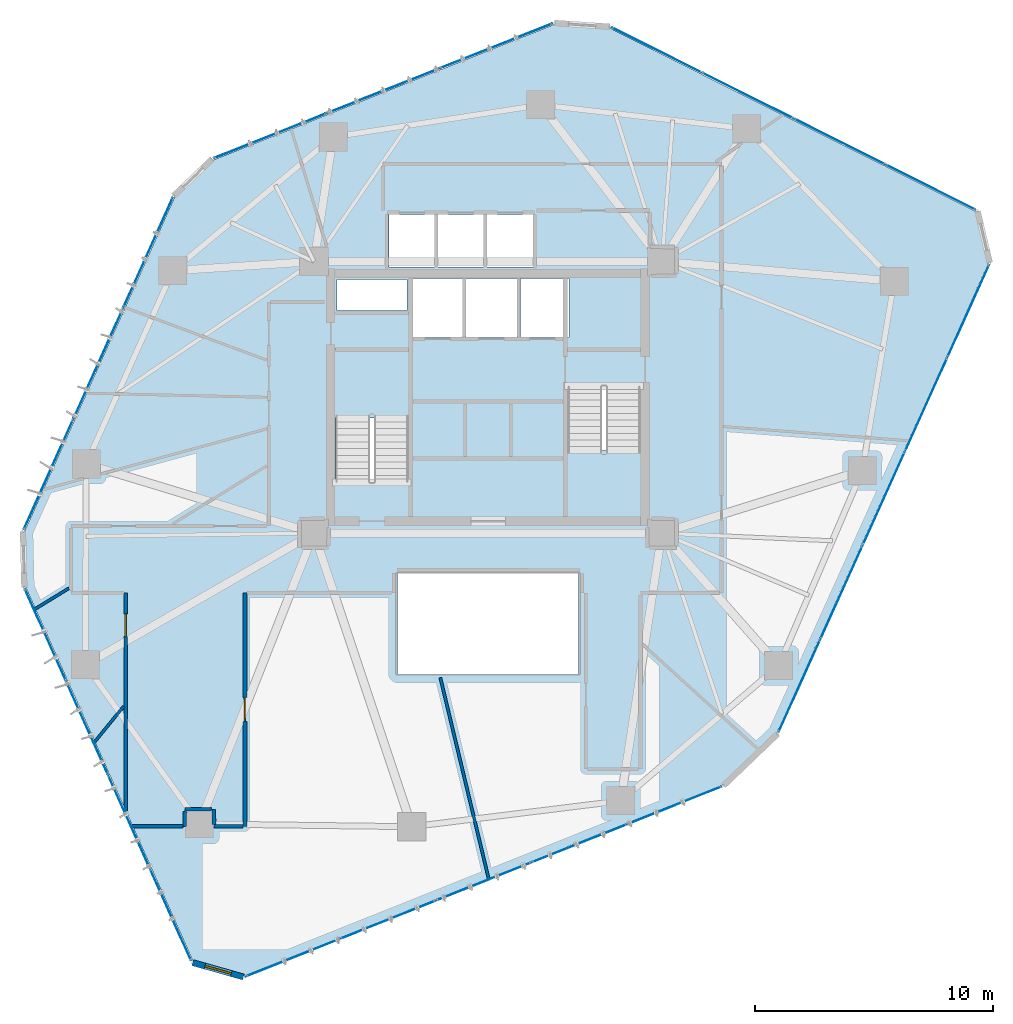
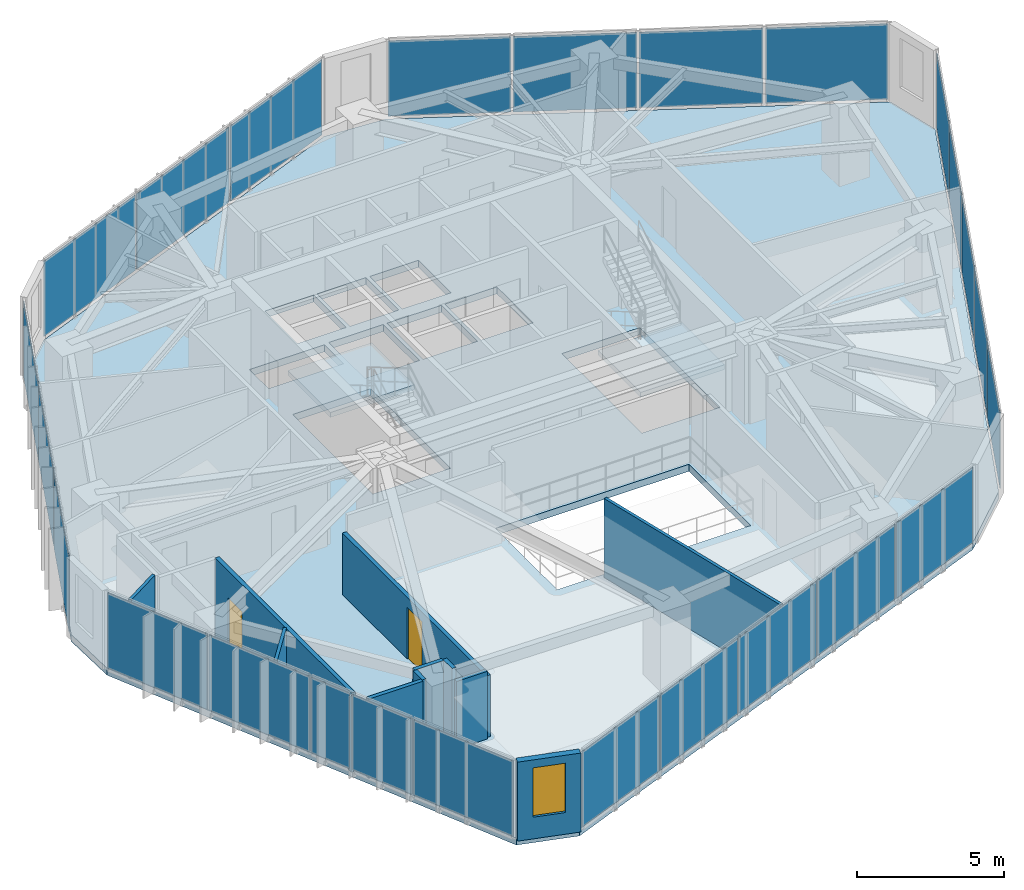
# One storey, part 16 of 22: 24 plates, 11 walls, 3 slabs, 2 doors, 1 window, 3 openings, 8 elements without a shape of their own.
"""IFC4 building model written with IfcOpenShell, lengths in metres."""

from ifc_helpers import new_model, si_unit, direction, frame, frame_2d, origin, origin_2d, place, context, subcontext, project, spatial, polyline, rectangle, outline, extrude, source, transform, mapped, material, layer, layer_set, type_object, type_shapes, element, fill, aggregate, save


model = new_model("IFC4")

# Units and contexts
model_context = context("Model", 3, precision=1e-05, world=origin(), true_north=direction((0.0, 1.0)))
body_context = subcontext(model_context, "Body", "Model", "MODEL_VIEW")
ifc_project = project(units=[si_unit("LENGTHUNIT", "METRE"), si_unit("AREAUNIT", "SQUARE_METRE"), si_unit("VOLUMEUNIT", "CUBIC_METRE"), si_unit("PLANEANGLEUNIT", "RADIAN"), si_unit("MASSUNIT", "GRAM", prefix="KILO")], contexts=[model_context])

# Site, building, storey
site_placement = place(None, origin())
site = spatial("IfcSite", under=ifc_project, at=site_placement, CompositionType="ELEMENT")
building_placement = place(site_placement, origin())
building = spatial("IfcBuilding", under=site, at=building_placement, Name="Talar Marvaseh", CompositionType="ELEMENT")
storey_placement = place(building_placement, frame((0.0, 0.0, 154.199951171875)))
storey = spatial("IfcBuildingStorey", under=building, at=storey_placement, Name="L40", CompositionType="ELEMENT", Elevation=154.199951171875)

# Stair, slab
ifc_material_1 = material(Name="Concrete C40/50", Category="concrete")
stair_type = type_object("IfcStairType", Name="Reinforced Concrete Half-Turn Exit Stair Type B", PredefinedType="HALF_TURN_STAIR", material=ifc_material_1)
stair_1_placement = place(storey_placement, origin())
stair_1 = element("IfcStair", 1, at=stair_1_placement, inside=storey, type_object=stair_type, Name="L40 Tower West Core Exit Stair", PredefinedType="HALF_TURN_STAIR")
ifc_layer_1 = layer(ifc_material_1, 0.199951171875)
ifc_layer_set_1 = layer_set([ifc_layer_1], Name="Concrete C40/50")
slab_type_1 = type_object("IfcSlabType", Name="Reinforced Concrete Stair Half-Landing Slab 200", PredefinedType="LANDING", material=ifc_layer_set_1)
slab_1_placement = place(storey_placement, frame((0.0, 0.0, 1.60009765625)))
slab_1 = element("IfcSlab", 2, at=slab_1_placement, type_object=slab_type_1, Name="ST-1 landing 1", PredefinedType="LANDING", context=body_context, shape_type="SweptSolid", body=[
    extrude(outline(polyline([(22.780029296875, 30.330078125), (22.780029296875, 33.219970703125), (19.47998046875, 33.219970703125), (19.47998046875, 30.330078125), (22.780029296875, 30.330078125)])), origin(), (0.0, 0.0, 1.0), 0.199951171875),
])
aggregate(stair_1, [slab_1])

stair_2_placement = place(storey_placement, origin())
stair_2 = element("IfcStair", 3, at=stair_2_placement, inside=storey, type_object=stair_type, Name="L40 Tower East Core Exit Stair", PredefinedType="HALF_TURN_STAIR")
slab_2_placement = place(storey_placement, frame((0.0, 0.0, 1.60009765625)))
slab_2 = element("IfcSlab", 4, at=slab_2_placement, type_object=slab_type_1, Name="ST-2 landing 1", PredefinedType="LANDING", context=body_context, shape_type="SweptSolid", body=[
    extrude(outline(polyline([(29.219970703125, 28.969970703125), (29.219970703125, 26.080078125), (32.52001953125, 26.080078125), (32.52001953125, 28.969970703125), (29.219970703125, 28.969970703125)])), origin(), (0.0, 0.0, 1.0), 0.199951171875),
])
aggregate(stair_2, [slab_2])

# Slab
ifc_layer_2 = layer(ifc_material_1, 0.2900390625)
ifc_layer_set_2 = layer_set([ifc_layer_2], Name="Concrete C40/50")
slab_type_2 = type_object("IfcSlabType", Name="Structural Suspended Floor Slab 290", PredefinedType="FLOOR", material=ifc_layer_set_2)
slab_3_placement = place(storey_placement, frame((0.0, 0.0, -0.2900390625)))
element("IfcSlab", 5, at=slab_3_placement, inside=storey, type_object=slab_type_2, Name="L40 Tower Floor Slab", PredefinedType="FLOOR", context=body_context, shape_type="SweptSolid", body=[
    extrude(outline(polyline([(15.7578125, 6.930908203125), (13.625, 7.535400390625), (6.606201171875, 23.22900390625), (6.550048828125, 25.569091796875), (12.8544921875, 39.608642578125), (14.476318359375, 41.1611328125), (28.77734375, 46.84716796875), (31.11279296875, 46.68896484375), (46.4853515625, 38.9921875), (46.99609375, 36.83544921875), (38.1142578125, 17.126708984375), (35.835205078125, 14.944580078125), (15.7578125, 6.930908203125)]), holes=[polyline([(22.659912109375, 27.64990234375), (22.659912109375, 33.10009765625), (19.60009765625, 33.10009765625), (19.60009765625, 27.64990234375), (22.659912109375, 27.64990234375)]), polyline([(29.340087890625, 31.64990234375), (29.340087890625, 26.199951171875), (32.39990234375, 26.199951171875), (32.39990234375, 31.64990234375), (29.340087890625, 31.64990234375)]), polyline([(22.800048828125, 33.719970703125), (24.93994140625, 33.719970703125), (24.93994140625, 36.179931640625), (22.800048828125, 36.179931640625), (22.800048828125, 33.719970703125)]), polyline([(25.080078125, 33.719970703125), (27.219970703125, 33.719970703125), (27.219970703125, 36.179931640625), (25.080078125, 36.179931640625), (25.080078125, 33.719970703125)]), polyline([(27.360107421875, 33.719970703125), (29.39990234375, 33.719970703125), (29.39990234375, 36.179931640625), (27.360107421875, 36.179931640625), (27.360107421875, 33.719970703125)]), polyline([(21.840087890625, 36.659912109375), (23.760009765625, 36.659912109375), (23.760009765625, 38.8798828125), (21.840087890625, 38.8798828125), (21.840087890625, 36.659912109375)]), polyline([(23.89990234375, 36.659912109375), (25.820068359375, 36.659912109375), (25.820068359375, 38.8798828125), (23.89990234375, 38.8798828125), (23.89990234375, 36.659912109375)]), polyline([(25.9599609375, 36.659912109375), (27.8798828125, 36.659912109375), (27.8798828125, 38.8798828125), (25.9599609375, 38.8798828125), (25.9599609375, 36.659912109375)]), polyline([(19.659912109375, 34.840087890625), (22.60009765625, 34.840087890625), (22.60009765625, 36.139892578125), (19.659912109375, 36.139892578125), (19.659912109375, 34.840087890625)]), polyline([(22.199951171875, 19.60009765625), (29.800048828125, 19.60009765625), (29.800048828125, 23.800048828125), (22.199951171875, 23.800048828125), (22.199951171875, 19.60009765625)])]), origin(), (0.0, 0.0, 1.0), 0.2900390625),
])

# Curtain wall, plates
ifc_material_2 = material(Name="Architectural Aluminium", Category="aluminium")
ifc_layer_3 = layer(ifc_material_2, 0.199951171875)
ifc_layer_set_3 = layer_set([ifc_layer_3], Name="Architectural Aluminium")
curtain_wall_type = type_object("IfcCurtainWallType", Name="Unitised Acoustic Library Curtain Wall Z2", PredefinedType="NOTDEFINED", material=ifc_layer_set_3)
curtain_wall_1_placement = place(storey_placement, origin())
curtain_wall_1 = element("IfcCurtainWall", 6, at=curtain_wall_1_placement, inside=storey, type_object=curtain_wall_type, Name="L40 Unitised Acoustic Library Curtain Wall Z2", PredefinedType="NOTDEFINED")
ifc_material_3 = material(Name="Laminated Low-E Solar Glass", Category="glass")
ifc_layer_4 = layer(ifc_material_3, 0.028076171875)
ifc_layer_set_4 = layer_set([ifc_layer_4], Name="Laminated Low-E Solar Glass")
plate_type = type_object("IfcPlateType", Name="Double-Glazed Low-E Vision Curtain Panel 28", PredefinedType="CURTAIN_PANEL", material=ifc_layer_set_4)
shared_shape_1 = source(origin(), body_context, "Body", "SweptSolid", [
    extrude(rectangle(XDim=4.185302734375, YDim=0.028076171875, at=origin_2d()), origin(), (0.0, 0.0, 1.0), 3.1298828125),
])
plate_1_placement = place(storey_placement, frame((12.685302734375, 9.48974609375, 0.0751953125), z_axis=(0.0, 0.0, 1.0), x_axis=(-0.408270270087, 0.912861099271, 0.0)))
plate_1 = element("IfcPlate", 7, at=plate_1_placement, type_object=plate_type, Name="CW-Z2 panel 1.1", PredefinedType="CURTAIN_PANEL", context=body_context, shape_type="MappedRepresentation", body=[
    mapped(shared_shape_1, transform((0.0, 0.0, 0.0), x_axis=(1.0, 0.0, 0.0), y_axis=(0.0, 1.0, 0.0), z_axis=(0.0, 0.0, 1.0), scale=1.0)),
])
plate_2_placement = place(storey_placement, frame((7.4365234375, 21.2255859375, 0.0751953125), z_axis=(0.0, 0.0, 1.0), x_axis=(-0.408270270087, 0.912861099271, 0.0)))
plate_2 = element("IfcPlate", 8, at=plate_2_placement, type_object=plate_type, Name="CW-Z2 panel 4.1", PredefinedType="CURTAIN_PANEL", context=body_context, shape_type="MappedRepresentation", body=[
    mapped(shared_shape_1, transform((0.0, 0.0, 0.0), x_axis=(1.0, 0.0, 0.0), y_axis=(0.0, 1.0, 0.0), z_axis=(0.0, 0.0, 1.0), scale=1.0)),
])

curtain_wall_2_placement = place(storey_placement, origin())
curtain_wall_2 = element("IfcCurtainWall", 9, at=curtain_wall_2_placement, inside=storey, type_object=curtain_wall_type, Name="L40 Unitised Acoustic Library Curtain Wall Z2", PredefinedType="NOTDEFINED")
plate_3_placement = place(storey_placement, frame((33.078125, 45.772216796875, 0.0751953125), z_axis=(0.0, 0.0, 1.0), x_axis=(0.894182751668, -0.447702140513, 0.0)))
plate_3 = element("IfcPlate", 10, at=plate_3_placement, type_object=plate_type, Name="CW-Z2 panel 1.1", PredefinedType="CURTAIN_PANEL", context=body_context, shape_type="MappedRepresentation", body=[
    mapped(shared_shape_1, transform((0.0, 0.0, 0.0), x_axis=(1.0, 0.0, 0.0), y_axis=(0.0, 1.0, 0.0), z_axis=(0.0, 0.0, 1.0), scale=1.0)),
])
plate_4_placement = place(storey_placement, frame((44.573974609375, 40.0166015625, 0.0751953125), z_axis=(0.0, 0.0, 1.0), x_axis=(0.894182751668, -0.447702140513, 0.0)))
plate_4 = element("IfcPlate", 11, at=plate_4_placement, type_object=plate_type, Name="CW-Z2 panel 4.1", PredefinedType="CURTAIN_PANEL", context=body_context, shape_type="MappedRepresentation", body=[
    mapped(shared_shape_1, transform((0.0, 0.0, 0.0), x_axis=(1.0, 0.0, 0.0), y_axis=(0.0, 1.0, 0.0), z_axis=(0.0, 0.0, 1.0), scale=1.0)),
])

# Plate
shared_shape_2 = source(origin(), body_context, "Body", "SweptSolid", [
    extrude(rectangle(XDim=4.222900390625, YDim=0.028076171875, at=origin_2d()), origin(), (0.0, 0.0, 1.0), 3.1298828125),
])
plate_5_placement = place(storey_placement, frame((10.938232421875, 13.39599609375, 0.0751953125), z_axis=(0.0, 0.0, 1.0), x_axis=(-0.408270270087, 0.912861099271, 0.0)))
plate_5 = element("IfcPlate", 12, at=plate_5_placement, type_object=plate_type, Name="CW-Z2 panel 2.1", PredefinedType="CURTAIN_PANEL", context=body_context, shape_type="MappedRepresentation", body=[
    mapped(shared_shape_2, transform((0.0, 0.0, 0.0), x_axis=(1.0, 0.0, 0.0), y_axis=(0.0, 1.0, 0.0), z_axis=(0.0, 0.0, 1.0), scale=1.0)),
])

plate_6_placement = place(storey_placement, frame((9.18359375, 17.3193359375, 0.0751953125), z_axis=(0.0, 0.0, 1.0), x_axis=(-0.408270270087, 0.912861099271, 0.0)))
plate_6 = element("IfcPlate", 13, at=plate_6_placement, type_object=plate_type, Name="CW-Z2 panel 3.1", PredefinedType="CURTAIN_PANEL", context=body_context, shape_type="MappedRepresentation", body=[
    mapped(shared_shape_2, transform((0.0, 0.0, 0.0), x_axis=(1.0, 0.0, 0.0), y_axis=(0.0, 1.0, 0.0), z_axis=(0.0, 0.0, 1.0), scale=1.0)),
])

aggregate(curtain_wall_1, [plate_1, plate_5, plate_6, plate_2])

plate_7_placement = place(storey_placement, frame((36.904541015625, 43.8564453125, 0.0751953125), z_axis=(0.0, 0.0, 1.0), x_axis=(0.894182751668, -0.447702140513, 0.0)))
plate_7 = element("IfcPlate", 14, at=plate_7_placement, type_object=plate_type, Name="CW-Z2 panel 2.1", PredefinedType="CURTAIN_PANEL", context=body_context, shape_type="MappedRepresentation", body=[
    mapped(shared_shape_2, transform((0.0, 0.0, 0.0), x_axis=(1.0, 0.0, 0.0), y_axis=(0.0, 1.0, 0.0), z_axis=(0.0, 0.0, 1.0), scale=1.0)),
])

plate_8_placement = place(storey_placement, frame((40.74755859375, 41.932373046875, 0.0751953125), z_axis=(0.0, 0.0, 1.0), x_axis=(0.894182751668, -0.447702140513, 0.0)))
plate_8 = element("IfcPlate", 15, at=plate_8_placement, type_object=plate_type, Name="CW-Z2 panel 3.1", PredefinedType="CURTAIN_PANEL", context=body_context, shape_type="MappedRepresentation", body=[
    mapped(shared_shape_2, transform((0.0, 0.0, 0.0), x_axis=(1.0, 0.0, 0.0), y_axis=(0.0, 1.0, 0.0), z_axis=(0.0, 0.0, 1.0), scale=1.0)),
])

aggregate(curtain_wall_2, [plate_3, plate_7, plate_8, plate_4])

# Curtain wall, plates
curtain_wall_3_placement = place(storey_placement, origin())
curtain_wall_3 = element("IfcCurtainWall", 16, at=curtain_wall_3_placement, inside=storey, type_object=curtain_wall_type, Name="L40 Unitised Acoustic Library Curtain Wall Z2", PredefinedType="NOTDEFINED")
shared_shape_3 = source(origin(), body_context, "Body", "SweptSolid", [
    extrude(rectangle(XDim=5.017578125, YDim=0.028076171875, at=origin_2d()), origin(), (0.0, 0.0, 1.0), 3.1298828125),
])
plate_9_placement = place(storey_placement, frame((7.5537109375, 27.95068359375, 0.0751953125), z_axis=(0.0, 0.0, 1.0), x_axis=(0.409639401688, 0.912247532518, 0.0)))
plate_9 = element("IfcPlate", 17, at=plate_9_placement, type_object=plate_type, Name="CW-Z2 panel 1.1", PredefinedType="CURTAIN_PANEL", context=body_context, shape_type="MappedRepresentation", body=[
    mapped(shared_shape_3, transform((0.0, 0.0, 0.0), x_axis=(1.0, 0.0, 0.0), y_axis=(0.0, 1.0, 0.0), z_axis=(0.0, 0.0, 1.0), scale=1.0)),
])
plate_10_placement = place(storey_placement, frame((11.741455078125, 37.2763671875, 0.0751953125), z_axis=(0.0, 0.0, 1.0), x_axis=(0.409639401688, 0.912247532518, 0.0)))
plate_10 = element("IfcPlate", 18, at=plate_10_placement, type_object=plate_type, Name="CW-Z2 panel 3.1", PredefinedType="CURTAIN_PANEL", context=body_context, shape_type="MappedRepresentation", body=[
    mapped(shared_shape_3, transform((0.0, 0.0, 0.0), x_axis=(1.0, 0.0, 0.0), y_axis=(0.0, 1.0, 0.0), z_axis=(0.0, 0.0, 1.0), scale=1.0)),
])

curtain_wall_4_placement = place(storey_placement, origin())
curtain_wall_4 = element("IfcCurtainWall", 19, at=curtain_wall_4_placement, inside=storey, type_object=curtain_wall_type, Name="L40 Unitised Acoustic Library Curtain Wall Z2", PredefinedType="NOTDEFINED")
plate_11_placement = place(storey_placement, frame((16.85498046875, 42.171630859375, 0.0751953125), z_axis=(0.0, 0.0, 1.0), x_axis=(0.929247234688, 0.369458491342, 0.0)))
plate_11 = element("IfcPlate", 20, at=plate_11_placement, type_object=plate_type, Name="CW-Z2 panel 1.1", PredefinedType="CURTAIN_PANEL", context=body_context, shape_type="MappedRepresentation", body=[
    mapped(shared_shape_3, transform((0.0, 0.0, 0.0), x_axis=(1.0, 0.0, 0.0), y_axis=(0.0, 1.0, 0.0), z_axis=(0.0, 0.0, 1.0), scale=1.0)),
])
plate_12_placement = place(storey_placement, frame((26.354248046875, 45.948486328125, 0.0751953125), z_axis=(0.0, 0.0, 1.0), x_axis=(0.929247234688, 0.369458491342, 0.0)))
plate_12 = element("IfcPlate", 21, at=plate_12_placement, type_object=plate_type, Name="CW-Z2 panel 3.1", PredefinedType="CURTAIN_PANEL", context=body_context, shape_type="MappedRepresentation", body=[
    mapped(shared_shape_3, transform((0.0, 0.0, 0.0), x_axis=(1.0, 0.0, 0.0), y_axis=(0.0, 1.0, 0.0), z_axis=(0.0, 0.0, 1.0), scale=1.0)),
])

# Plate
shared_shape_4 = source(origin(), body_context, "Body", "SweptSolid", [
    extrude(rectangle(XDim=5.054931640625, YDim=0.028076171875, at=origin_2d()), origin(), (0.0, 0.0, 1.0), 3.1298828125),
])
plate_13_placement = place(storey_placement, frame((9.647705078125, 32.613525390625, 0.0751953125), z_axis=(0.0, 0.0, 1.0), x_axis=(0.409639401688, 0.912247532518, 0.0)))
plate_13 = element("IfcPlate", 22, at=plate_13_placement, type_object=plate_type, Name="CW-Z2 panel 2.1", PredefinedType="CURTAIN_PANEL", context=body_context, shape_type="MappedRepresentation", body=[
    mapped(shared_shape_4, transform((0.0, 0.0, 0.0), x_axis=(1.0, 0.0, 0.0), y_axis=(0.0, 1.0, 0.0), z_axis=(0.0, 0.0, 1.0), scale=1.0)),
])

aggregate(curtain_wall_3, [plate_9, plate_13, plate_10])

plate_14_placement = place(storey_placement, frame((21.6044921875, 44.06005859375, 0.0751953125), z_axis=(0.0, 0.0, 1.0), x_axis=(0.929247234688, 0.369458491342, 0.0)))
plate_14 = element("IfcPlate", 23, at=plate_14_placement, type_object=plate_type, Name="CW-Z2 panel 2.1", PredefinedType="CURTAIN_PANEL", context=body_context, shape_type="MappedRepresentation", body=[
    mapped(shared_shape_4, transform((0.0, 0.0, 0.0), x_axis=(1.0, 0.0, 0.0), y_axis=(0.0, 1.0, 0.0), z_axis=(0.0, 0.0, 1.0), scale=1.0)),
])

aggregate(curtain_wall_4, [plate_11, plate_14, plate_12])

# Curtain wall, plates
curtain_wall_5_placement = place(storey_placement, origin())
curtain_wall_5 = element("IfcCurtainWall", 24, at=curtain_wall_5_placement, inside=storey, type_object=curtain_wall_type, Name="L40 Unitised Acoustic Library Curtain Wall Z2", PredefinedType="NOTDEFINED")
shared_shape_5 = source(origin(), body_context, "Body", "SweptSolid", [
    extrude(rectangle(XDim=4.2109375, YDim=0.028076171875, at=origin_2d()), origin(), (0.0, 0.0, 1.0), 3.1298828125),
])
plate_15_placement = place(storey_placement, frame((46.155029296875, 34.82275390625, 0.0751953125), z_axis=(0.0, 0.0, 1.0), x_axis=(-0.410862398783, -0.911697367149, 0.0)))
plate_15 = element("IfcPlate", 25, at=plate_15_placement, type_object=plate_type, Name="CW-Z2 panel 1.1", PredefinedType="CURTAIN_PANEL", context=body_context, shape_type="MappedRepresentation", body=[
    mapped(shared_shape_5, transform((0.0, 0.0, 0.0), x_axis=(1.0, 0.0, 0.0), y_axis=(0.0, 1.0, 0.0), z_axis=(0.0, 0.0, 1.0), scale=1.0)),
])
plate_16_placement = place(storey_placement, frame((39.06494140625, 19.08984375, 0.0751953125), z_axis=(0.0, 0.0, 1.0), x_axis=(-0.410862398783, -0.911697367149, 0.0)))
plate_16 = element("IfcPlate", 26, at=plate_16_placement, type_object=plate_type, Name="CW-Z2 panel 5.1", PredefinedType="CURTAIN_PANEL", context=body_context, shape_type="MappedRepresentation", body=[
    mapped(shared_shape_5, transform((0.0, 0.0, 0.0), x_axis=(1.0, 0.0, 0.0), y_axis=(0.0, 1.0, 0.0), z_axis=(0.0, 0.0, 1.0), scale=1.0)),
])

curtain_wall_6_placement = place(storey_placement, origin())
curtain_wall_6 = element("IfcCurtainWall", 27, at=curtain_wall_6_placement, inside=storey, type_object=curtain_wall_type, Name="L40 Unitised Acoustic Library Curtain Wall Z2", PredefinedType="NOTDEFINED")
plate_17_placement = place(storey_placement, frame((33.83203125, 14.08056640625, 0.0751953125), z_axis=(0.0, 0.0, 1.0), x_axis=(-0.928751753992, -0.370702278732, 0.0)))
plate_17 = element("IfcPlate", 28, at=plate_17_placement, type_object=plate_type, Name="CW-Z2 panel 1.1", PredefinedType="CURTAIN_PANEL", context=body_context, shape_type="MappedRepresentation", body=[
    mapped(shared_shape_5, transform((0.0, 0.0, 0.0), x_axis=(1.0, 0.0, 0.0), y_axis=(0.0, 1.0, 0.0), z_axis=(0.0, 0.0, 1.0), scale=1.0)),
])
plate_18_placement = place(storey_placement, frame((17.80517578125, 7.68359375, 0.0751953125), z_axis=(0.0, 0.0, 1.0), x_axis=(-0.928751753992, -0.370702278732, 0.0)))
plate_18 = element("IfcPlate", 29, at=plate_18_placement, type_object=plate_type, Name="CW-Z2 panel 5.1", PredefinedType="CURTAIN_PANEL", context=body_context, shape_type="MappedRepresentation", body=[
    mapped(shared_shape_5, transform((0.0, 0.0, 0.0), x_axis=(1.0, 0.0, 0.0), y_axis=(0.0, 1.0, 0.0), z_axis=(0.0, 0.0, 1.0), scale=1.0)),
])

# Plate
shared_shape_6 = source(origin(), body_context, "Body", "SweptSolid", [
    extrude(rectangle(XDim=4.24853515625, YDim=0.028076171875, at=origin_2d()), origin(), (0.0, 0.0, 1.0), 3.1298828125),
])
type_shapes(plate_type, [shared_shape_1, shared_shape_2, shared_shape_3, shared_shape_4, shared_shape_5, shared_shape_6])
plate_19_placement = place(storey_placement, frame((44.38623046875, 30.89794921875, 0.0751953125), z_axis=(0.0, 0.0, 1.0), x_axis=(-0.410862398783, -0.911697367149, 0.0)))
plate_19 = element("IfcPlate", 30, at=plate_19_placement, type_object=plate_type, Name="CW-Z2 panel 2.1", PredefinedType="CURTAIN_PANEL", context=body_context, shape_type="MappedRepresentation", body=[
    mapped(shared_shape_6, transform((0.0, 0.0, 0.0), x_axis=(1.0, 0.0, 0.0), y_axis=(0.0, 1.0, 0.0), z_axis=(0.0, 0.0, 1.0), scale=1.0)),
])

plate_20_placement = place(storey_placement, frame((42.60986328125, 26.956298828125, 0.0751953125), z_axis=(0.0, 0.0, 1.0), x_axis=(-0.410862398783, -0.911697367149, 0.0)))
plate_20 = element("IfcPlate", 31, at=plate_20_placement, type_object=plate_type, Name="CW-Z2 panel 3.1", PredefinedType="CURTAIN_PANEL", context=body_context, shape_type="MappedRepresentation", body=[
    mapped(shared_shape_6, transform((0.0, 0.0, 0.0), x_axis=(1.0, 0.0, 0.0), y_axis=(0.0, 1.0, 0.0), z_axis=(0.0, 0.0, 1.0), scale=1.0)),
])

plate_21_placement = place(storey_placement, frame((40.83349609375, 23.0146484375, 0.0751953125), z_axis=(0.0, 0.0, 1.0), x_axis=(-0.410862398783, -0.911697367149, 0.0)))
plate_21 = element("IfcPlate", 32, at=plate_21_placement, type_object=plate_type, Name="CW-Z2 panel 4.1", PredefinedType="CURTAIN_PANEL", context=body_context, shape_type="MappedRepresentation", body=[
    mapped(shared_shape_6, transform((0.0, 0.0, 0.0), x_axis=(1.0, 0.0, 0.0), y_axis=(0.0, 1.0, 0.0), z_axis=(0.0, 0.0, 1.0), scale=1.0)),
])

aggregate(curtain_wall_5, [plate_15, plate_19, plate_20, plate_21, plate_16])

plate_22_placement = place(storey_placement, frame((29.833984375, 12.48486328125, 0.0751953125), z_axis=(0.0, 0.0, 1.0), x_axis=(-0.928751753992, -0.370702278732, 0.0)))
plate_22 = element("IfcPlate", 33, at=plate_22_placement, type_object=plate_type, Name="CW-Z2 panel 2.1", PredefinedType="CURTAIN_PANEL", context=body_context, shape_type="MappedRepresentation", body=[
    mapped(shared_shape_6, transform((0.0, 0.0, 0.0), x_axis=(1.0, 0.0, 0.0), y_axis=(0.0, 1.0, 0.0), z_axis=(0.0, 0.0, 1.0), scale=1.0)),
])

plate_23_placement = place(storey_placement, frame((25.818603515625, 10.882080078125, 0.0751953125), z_axis=(0.0, 0.0, 1.0), x_axis=(-0.928751753992, -0.370702278732, 0.0)))
plate_23 = element("IfcPlate", 34, at=plate_23_placement, type_object=plate_type, Name="CW-Z2 panel 3.1", PredefinedType="CURTAIN_PANEL", context=body_context, shape_type="MappedRepresentation", body=[
    mapped(shared_shape_6, transform((0.0, 0.0, 0.0), x_axis=(1.0, 0.0, 0.0), y_axis=(0.0, 1.0, 0.0), z_axis=(0.0, 0.0, 1.0), scale=1.0)),
])

plate_24_placement = place(storey_placement, frame((21.80322265625, 9.279296875, 0.0751953125), z_axis=(0.0, 0.0, 1.0), x_axis=(-0.928751753992, -0.370702278732, 0.0)))
plate_24 = element("IfcPlate", 35, at=plate_24_placement, type_object=plate_type, Name="CW-Z2 panel 4.1", PredefinedType="CURTAIN_PANEL", context=body_context, shape_type="MappedRepresentation", body=[
    mapped(shared_shape_6, transform((0.0, 0.0, 0.0), x_axis=(1.0, 0.0, 0.0), y_axis=(0.0, 1.0, 0.0), z_axis=(0.0, 0.0, 1.0), scale=1.0)),
])

aggregate(curtain_wall_6, [plate_17, plate_22, plate_23, plate_24, plate_18])

# Wall, opening, window
ifc_material_4 = material(Name="Precast concrete C45/55", Category="concrete")
ifc_layer_5 = layer(ifc_material_4, 0.2548828125)
ifc_layer_set_5 = layer_set([ifc_layer_5], Name="Precast concrete C45/55")
wall_type_1 = type_object("IfcWallType", Name="Chamfered Hexagonal Corner Pier Wall Z2 255", PredefinedType="SOLIDWALL", material=ifc_layer_set_5)
wall_1_placement = place(storey_placement, frame((15.7412109375, 6.873291015625, 0.0), z_axis=(0.0, 0.0, 1.0), x_axis=(-0.962095424642, 0.272713024776, 0.0)))
wall_1 = element("IfcWall", 36, at=wall_1_placement, inside=storey, type_object=wall_type_1, Name="L40 Chamfered Corner Limestone Pier 1", PredefinedType="SOLIDWALL", context=body_context, shape_type="SweptSolid", body=[
    extrude(rectangle(XDim=2.216552734375, YDim=0.2548828125, at=frame_2d((1.1083984375, 0.0))), origin(), (0.0, 0.0, 1.0), 3.280029296875),
])
opening_1_placement = place(wall_1_placement, frame((0.532958984375, 0.0, 0.89990234375)))
opening_1 = element("IfcOpeningElement", 37, at=opening_1_placement, cuts=wall_1, Name="Opening WN-CHM11", PredefinedType="OPENING", context=body_context, shape_type="SweptSolid", body=[
    extrude(rectangle(XDim=1.14990234375, YDim=2.050048828125, at=frame_2d((0.574951171875, 1.02490234375))), frame((0.0, 0.137451171875, 0.0), z_axis=(0.0, -1.0, 0.0), x_axis=(1.0, 0.0, 0.0)), (0.0, 0.0, 1.0), 0.27490234375),
])
window_type = type_object("IfcWindowType", Name="Zone 2 Chamfered Corner Slot Window 1150x2050", PartitioningType="SINGLE_PANEL", PredefinedType="WINDOW", material=ifc_material_3)
shared_shape_7 = source(origin(), body_context, "Body", "SweptSolid", [
    extrude(rectangle(XDim=1.14990234375, YDim=2.050048828125, at=frame_2d((0.574951171875, 1.02490234375))), frame((0.0, 0.030029296875, 0.0), z_axis=(0.0, -1.0, 0.0), x_axis=(1.0, 0.0, 0.0)), (0.0, 0.0, 1.0), 0.06005859375),
])
type_shapes(window_type, [shared_shape_7])
window_placement = place(opening_1_placement, origin())
window = element("IfcWindow", 38, at=window_placement, inside=storey, type_object=window_type, Name="L40 Chamfered Corner Slot Window", OverallHeight=2.050048828125, OverallWidth=1.14990234375, PartitioningType="SINGLE_PANEL", PredefinedType="WINDOW", context=body_context, shape_type="MappedRepresentation", body=[
    mapped(shared_shape_7, transform((0.0, 0.0, 0.0), x_axis=(1.0, 0.0, 0.0), y_axis=(0.0, 1.0, 0.0), z_axis=(0.0, 0.0, 1.0), scale=1.0)),
])
fill(opening_1, window)

# Wall, opening, door
ifc_material_5 = material(Name="Gypsum Board Partition Assembly")
ifc_layer_6 = layer(ifc_material_5, 0.155029296875)
ifc_layer_set_6 = layer_set([ifc_layer_6], Name="Gypsum Board Partition Assembly")
wall_type_2 = type_object("IfcWallType", Name="Corridor Fire-Rated Acoustic Partition 155", PredefinedType="PARTITIONING", material=ifc_layer_set_6)
wall_2_placement = place(storey_placement, frame((15.800048828125, 23.0, 0.0), z_axis=(0.0, 0.0, 1.0), x_axis=(0.0, -1.0, 0.0)))
wall_2 = element("IfcWall", 39, at=wall_2_placement, inside=storey, type_object=wall_type_2, Name="L40 Interior Partition Wall", PredefinedType="PARTITIONING", context=body_context, shape_type="SweptSolid", body=[
    extrude(rectangle(XDim=9.800048828125, YDim=0.155029296875, at=frame_2d((4.89990234375, 0.0))), origin(), (0.0, 0.0, 1.0), 2.56005859375),
])
opening_2_placement = place(wall_2_placement, frame((4.39990234375, 0.0, 0.0)))
opening_2 = element("IfcOpeningElement", 40, at=opening_2_placement, cuts=wall_2, Name="Opening DR-RM100", PredefinedType="OPENING", context=body_context, shape_type="SweptSolid", body=[
    extrude(rectangle(XDim=1.0, YDim=2.14990234375, at=frame_2d((0.5, 1.074951171875))), frame((0.0, 0.08740234375, 0.0), z_axis=(0.0, -1.0, 0.0), x_axis=(1.0, 0.0, 0.0)), (0.0, 0.0, 1.0), 0.175048828125),
])
ifc_material_6 = material(Name="Acoustic Engineered Oak Timber", Category="wood")
door_type_1 = type_object("IfcDoorType", Name="Corridor Fire-Rated Gallery Door 1000x2150", OperationType="NOTDEFINED", PredefinedType="DOOR", material=ifc_material_6)
shared_shape_8 = source(origin(), body_context, "Body", "SweptSolid", [
    extrude(rectangle(XDim=1.0, YDim=2.14990234375, at=frame_2d((0.5, 1.074951171875))), frame((0.0, 0.02490234375, 0.0), z_axis=(0.0, -1.0, 0.0), x_axis=(1.0, 0.0, 0.0)), (0.0, 0.0, 1.0), 0.050048828125),
])
type_shapes(door_type_1, [shared_shape_8])
door_1_placement = place(opening_2_placement, origin())
door_1 = element("IfcDoor", 41, at=door_1_placement, inside=storey, type_object=door_type_1, Name="L40 Archival Research Office Door", OperationType="SINGLE_SWING_RIGHT", OverallHeight=2.14990234375, OverallWidth=1.0, PredefinedType="DOOR", context=body_context, shape_type="MappedRepresentation", body=[
    mapped(shared_shape_8, transform((0.0, 0.0, 0.0), x_axis=(1.0, 0.0, 0.0), y_axis=(0.0, 1.0, 0.0), z_axis=(0.0, 0.0, 1.0), scale=1.0)),
])
fill(opening_2, door_1)

wall_3_placement = place(storey_placement, frame((10.800048828125, 13.730224609375, 0.0), z_axis=(0.0, 0.0, 1.0), x_axis=(0.0, 1.0, 0.0)))
wall_3 = element("IfcWall", 42, at=wall_3_placement, inside=storey, type_object=wall_type_2, Name="L40 Interior Partition Wall", PredefinedType="PARTITIONING", context=body_context, shape_type="SweptSolid", body=[
    extrude(rectangle(XDim=9.269775390625, YDim=0.155029296875, at=frame_2d((4.634765625, 0.0))), origin(), (0.0, 0.0, 1.0), 3.280029296875),
])
opening_3_placement = place(wall_3_placement, frame((7.428955078125, 0.0, 0.0)))
opening_3 = element("IfcOpeningElement", 43, at=opening_3_placement, cuts=wall_3, Name="Opening DR-WC095", PredefinedType="OPENING", context=body_context, shape_type="SweptSolid", body=[
    extrude(rectangle(XDim=0.949951171875, YDim=2.14990234375, at=frame_2d((0.47509765625, 1.074951171875))), frame((0.0, 0.08740234375, 0.0), z_axis=(0.0, -1.0, 0.0), x_axis=(1.0, 0.0, 0.0)), (0.0, 0.0, 1.0), 0.175048828125),
])
door_type_2 = type_object("IfcDoorType", Name="Washroom and Service Room Door 950x2150", OperationType="NOTDEFINED", PredefinedType="DOOR", material=ifc_material_6)
shared_shape_9 = source(origin(), body_context, "Body", "SweptSolid", [
    extrude(rectangle(XDim=0.949951171875, YDim=2.14990234375, at=frame_2d((0.47509765625, 1.074951171875))), frame((0.0, 0.02490234375, 0.0), z_axis=(0.0, -1.0, 0.0), x_axis=(1.0, 0.0, 0.0)), (0.0, 0.0, 1.0), 0.050048828125),
])
type_shapes(door_type_2, [shared_shape_9])
door_2_placement = place(opening_3_placement, origin())
door_2 = element("IfcDoor", 44, at=door_2_placement, inside=storey, type_object=door_type_2, Name="L40 Hospitality Tea Pantry Door", OperationType="SINGLE_SWING_LEFT", OverallHeight=2.14990234375, OverallWidth=0.949951171875, PredefinedType="DOOR", context=body_context, shape_type="MappedRepresentation", body=[
    mapped(shared_shape_9, transform((0.0, 0.0, 0.0), x_axis=(1.0, 0.0, 0.0), y_axis=(0.0, 1.0, 0.0), z_axis=(0.0, 0.0, 1.0), scale=1.0)),
])
fill(opening_3, door_2)

# Walls
wall_4_placement = place(storey_placement, frame((15.716552734375, 13.199951171875, 0.0), z_axis=(0.0, 0.0, 1.0), x_axis=(-1.0, 0.0, 0.0)))
element("IfcWall", 45, at=wall_4_placement, inside=storey, type_object=wall_type_2, Name="L40 Interior Partition Wall", PredefinedType="PARTITIONING", context=body_context, shape_type="SweptSolid", body=[
    extrude(rectangle(XDim=1.21044921875, YDim=0.155029296875, at=frame_2d((0.605224609375, 0.0))), origin(), (0.0, 0.0, 1.0), 2.804931640625),
])
wall_5_placement = place(storey_placement, frame((14.504150390625, 13.283447265625, 0.0), z_axis=(0.0, 0.0, 1.0), x_axis=(-0.020901356295, 0.999781542791, 0.0)))
element("IfcWall", 46, at=wall_5_placement, inside=storey, type_object=wall_type_2, Name="L40 Interior Partition Wall", PredefinedType="PARTITIONING", context=body_context, shape_type="SweptSolid", body=[
    extrude(rectangle(XDim=0.630859375, YDim=0.155029296875, at=frame_2d((0.3154296875, 0.0))), origin(), (0.0, 0.0, 1.0), 3.280029296875),
])
wall_6_placement = place(storey_placement, frame((14.407470703125, 13.913818359375, 0.0), z_axis=(0.0, 0.0, 1.0), x_axis=(-0.999998843163, -0.001521076033, 0.0)))
element("IfcWall", 47, at=wall_6_placement, inside=storey, type_object=wall_type_2, Name="L40 Interior Partition Wall", PredefinedType="PARTITIONING", context=body_context, shape_type="SweptSolid", body=[
    extrude(rectangle(XDim=1.12353515625, YDim=0.155029296875, at=frame_2d((0.561767578125, 0.0))), origin(), (0.0, 0.0, 1.0), 3.280029296875),
])
wall_7_placement = place(storey_placement, frame((13.282958984375, 13.82861328125, 0.0), z_axis=(0.0, 0.0, 1.0), x_axis=(-0.01126142177, -0.999936588179, 0.0)))
element("IfcWall", 48, at=wall_7_placement, inside=storey, type_object=wall_type_2, Name="L40 Interior Partition Wall", PredefinedType="PARTITIONING", context=body_context, shape_type="SweptSolid", body=[
    extrude(rectangle(XDim=0.628662109375, YDim=0.155029296875, at=frame_2d((0.314453125, 0.0))), origin(), (0.0, 0.0, 1.0), 3.280029296875),
])
wall_8_placement = place(storey_placement, frame((13.1923828125, 13.199951171875, 0.0), z_axis=(0.0, 0.0, 1.0), x_axis=(-1.0, 0.0, 0.0)))
element("IfcWall", 49, at=wall_8_placement, inside=storey, type_object=wall_type_2, Name="L40 Interior Partition Wall", PredefinedType="PARTITIONING", context=body_context, shape_type="SweptSolid", body=[
    extrude(rectangle(XDim=2.1416015625, YDim=0.155029296875, at=frame_2d((1.07080078125, 0.0))), origin(), (0.0, 0.0, 1.0), 3.280029296875),
])
ifc_layer_7 = layer(ifc_material_5, 0.1201171875)
ifc_layer_set_7 = layer_set([ifc_layer_7], Name="Gypsum Board Partition Assembly")
wall_type_3 = type_object("IfcWallType", Name="Demountable Studio Room Partition 120", PredefinedType="PARTITIONING", material=ifc_layer_set_7)
wall_9_placement = place(storey_placement, frame((8.41650390625, 23.188720703125, 0.0), z_axis=(0.0, 0.0, 1.0), x_axis=(-0.852532538105, -0.522674154203, 0.0)))
element("IfcWall", 50, at=wall_9_placement, inside=storey, type_object=wall_type_3, Name="L40 Interior Partition Wall", PredefinedType="PARTITIONING", context=body_context, shape_type="SweptSolid", body=[
    extrude(rectangle(XDim=1.685302734375, YDim=0.1201171875, at=frame_2d((0.8427734375, 0.0))), origin(), (0.0, 0.0, 1.0), 3.280029296875),
])
wall_10_placement = place(storey_placement, frame((10.716552734375, 18.23779296875, 0.0), z_axis=(0.0, 0.0, 1.0), x_axis=(-0.632423762391, -0.774622607961, 0.0)))
element("IfcWall", 51, at=wall_10_placement, inside=storey, type_object=wall_type_3, Name="L40 Interior Partition Wall", PredefinedType="PARTITIONING", context=body_context, shape_type="SweptSolid", body=[
    extrude(rectangle(XDim=1.960693359375, YDim=0.1201171875, at=frame_2d((0.98046875, 0.0))), origin(), (0.0, 0.0, 1.0), 3.280029296875),
])
wall_11_placement = place(storey_placement, frame((24.0, 19.43994140625, 0.0), z_axis=(0.0, 0.0, 1.0), x_axis=(0.233677994489, -0.972314041291, 0.0)))
element("IfcWall", 52, at=wall_11_placement, inside=storey, type_object=wall_type_3, Name="L40 Interior Partition Wall", PredefinedType="PARTITIONING", context=body_context, shape_type="SweptSolid", body=[
    extrude(rectangle(XDim=8.687255859375, YDim=0.1201171875, at=frame_2d((4.34375, 0.0))), origin(), (0.0, 0.0, 1.0), 3.280029296875),
])

save(model, "model.ifc")
